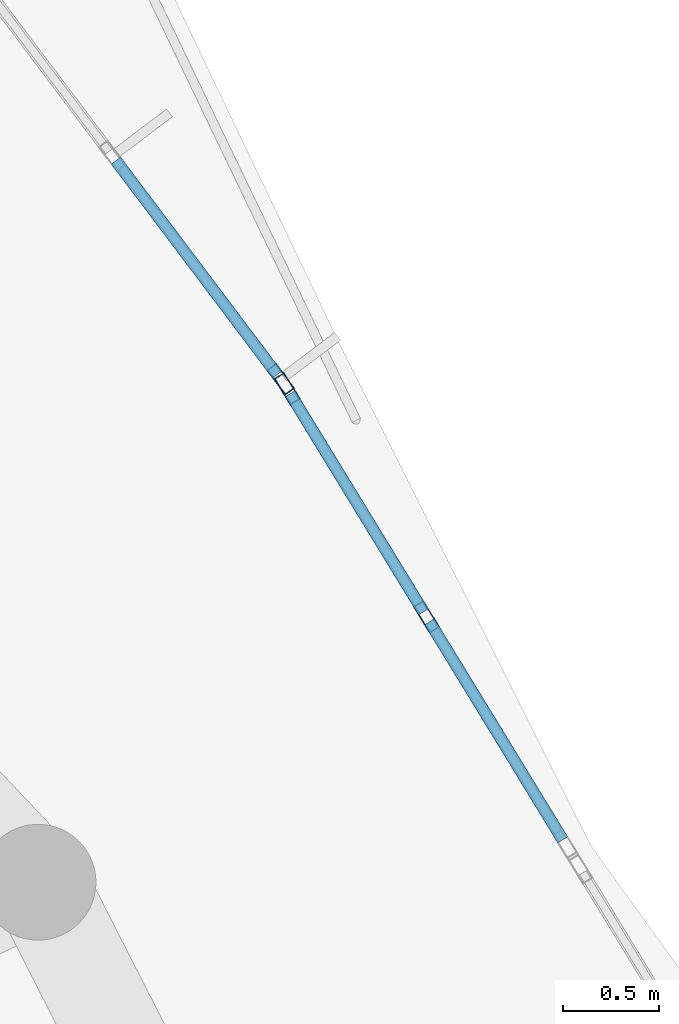
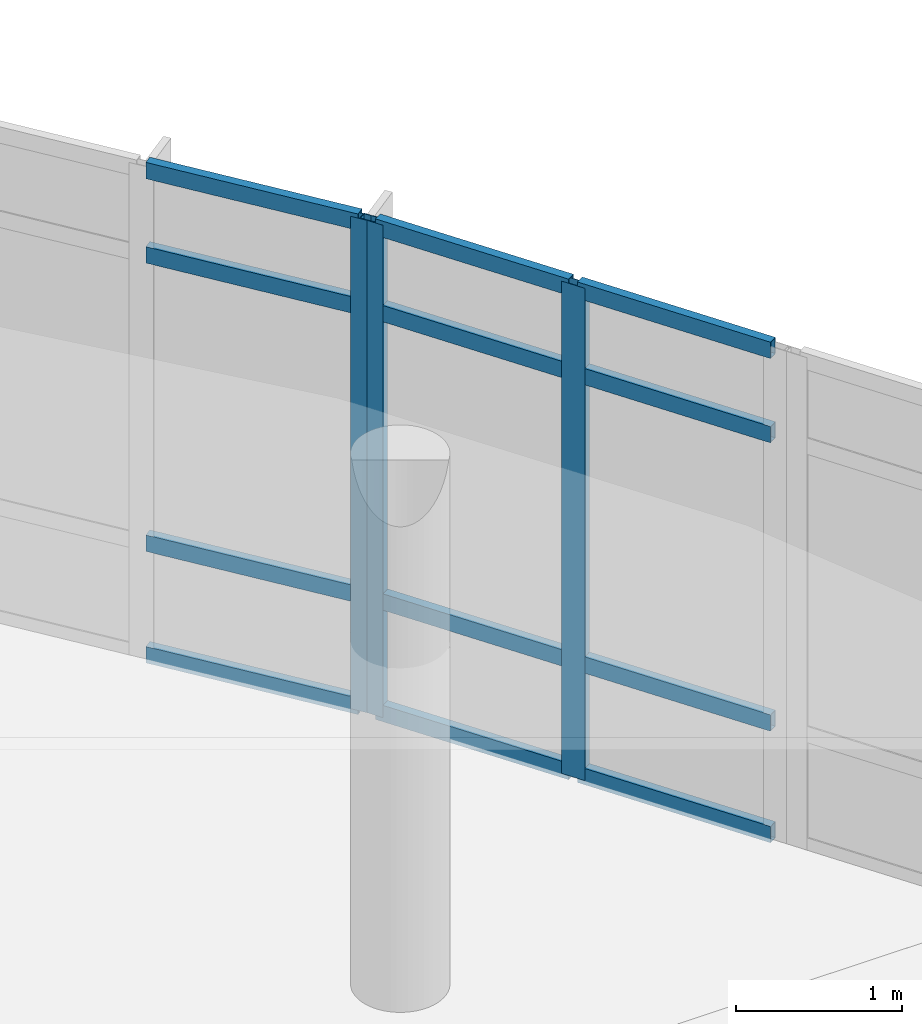
# One storey, part 43 of 74: 15 members, 2 elements without a shape of their own.
"""IFC4 building model written with IfcOpenShell, lengths in metres."""

from ifc_helpers import new_model, si_unit, derived_unit, direction, frame, origin, origin_2d, place, context, subcontext, project, spatial, hollow_rectangle, extrude, material, layer, layer_set, material_profile, profile_set, type_object, element, aggregate, save


model = new_model("IFC4")

# Units and contexts
model_context = context("Model", 3, precision=1e-05, world=origin(), true_north=direction((0.0, 1.0)))
body_context = subcontext(model_context, "Body", "Model", "MODEL_VIEW")
ifc_project = project(units=[si_unit("LENGTHUNIT", "METRE"), si_unit("AREAUNIT", "SQUARE_METRE"), si_unit("VOLUMEUNIT", "CUBIC_METRE"), si_unit("PLANEANGLEUNIT", "RADIAN"), si_unit("MASSUNIT", "GRAM", prefix="KILO"), derived_unit("THERMALTRANSMITTANCEUNIT", [(si_unit("POWERUNIT", "WATT"), 1), (si_unit("LENGTHUNIT", "METRE"), -2), (si_unit("THERMODYNAMICTEMPERATUREUNIT", "KELVIN"), -1)])], contexts=[model_context])

# Site, building, storey
site_placement = place(None, origin())
site = spatial("IfcSite", under=ifc_project, at=site_placement, CompositionType="ELEMENT")
building_placement = place(site_placement, origin())
building = spatial("IfcBuilding", under=site, at=building_placement, Name="Elbkamm Science Centre", CompositionType="ELEMENT")
storey_placement = place(building_placement, frame((0.0, 0.0, 14.39990234375)))
storey = spatial("IfcBuildingStorey", under=building, at=storey_placement, Name="L03", CompositionType="ELEMENT", Elevation=14.39990234375)

# Curtain wall, members
ifc_material_1 = material(Name="Powder-coated aluminium and triple low-E glazing", Category="aluminium")
ifc_layer_1 = layer(ifc_material_1, 0.159912109375)
ifc_layer_set_1 = layer_set([ifc_layer_1], Name="Powder-coated aluminium and triple low-E glazing")
curtain_wall_type_1 = type_object("IfcCurtainWallType", Name="CW-UNIT-2820x3620", PredefinedType="USERDEFINED", material=ifc_layer_set_1)
curtain_wall_1_placement = place(storey_placement, origin())
curtain_wall_1 = element("IfcCurtainWall", 1, at=curtain_wall_1_placement, inside=storey, type_object=curtain_wall_type_1, Name="L03 Unitised Curtain Wall 048", ObjectType="UNITISED CURTAIN WALL", PredefinedType="USERDEFINED")
ifc_material_2 = material(Name="Powder-coated aluminium EN AW-6060", Category="aluminium")
ifc_material_profile_1 = material_profile(ifc_material_2, hollow_rectangle(XDim=0.06005859375, YDim=0.159912109375, WallThickness=0.00390625, at=origin_2d()), Name="ALU M60x160")
ifc_profile_set_1 = profile_set([ifc_material_profile_1], Name="Powder-coated aluminium EN AW-6060")
member_type_1 = type_object("IfcMemberType", Name="CW-MUL-60x160", PredefinedType="MULLION", material=ifc_profile_set_1)
member_1_placement = place(storey_placement, frame((85.45068359375, 78.175537109375, 0.0), z_axis=(0.0, 0.0, 1.0), x_axis=(-0.853316783225, -0.521392814935, 0.0)))
member_1 = element("IfcMember", 2, at=member_1_placement, type_object=member_type_1, Name="CW-021 mullion 2", PredefinedType="MULLION", context=body_context, shape_type="SweptSolid", body=[
    extrude(hollow_rectangle(XDim=0.06005859375, YDim=0.159912109375, WallThickness=0.00390625, at=origin_2d()), origin(), (0.0, 0.0, 1.0), 3.6201171875),
])
member_2_placement = place(storey_placement, frame((84.728759765625, 79.35693359375, 0.0), z_axis=(0.0, 0.0, 1.0), x_axis=(-0.853316783225, -0.521392814935, 0.0)))
member_2 = element("IfcMember", 3, at=member_2_placement, type_object=member_type_1, Name="CW-021 mullion 3", PredefinedType="MULLION", context=body_context, shape_type="SweptSolid", body=[
    extrude(hollow_rectangle(XDim=0.06005859375, YDim=0.159912109375, WallThickness=0.00390625, at=origin_2d()), origin(), (0.0, 0.0, 1.0), 3.6201171875),
])

# Curtain wall, member
ifc_layer_2 = layer(ifc_material_1, 0.159912109375)
ifc_layer_set_2 = layer_set([ifc_layer_2], Name="Powder-coated aluminium and triple low-E glazing")
curtain_wall_type_2 = type_object("IfcCurtainWallType", Name="CW-UNIT-2960x3620", PredefinedType="USERDEFINED", material=ifc_layer_set_2)
curtain_wall_2_placement = place(storey_placement, origin())
curtain_wall_2 = element("IfcCurtainWall", 4, at=curtain_wall_2_placement, inside=storey, type_object=curtain_wall_type_2, Name="L03 Unitised Curtain Wall 049", ObjectType="UNITISED CURTAIN WALL", PredefinedType="USERDEFINED")
member_3_placement = place(storey_placement, frame((84.695068359375, 79.406494140625, 0.0), z_axis=(0.0, 0.0, 1.0), x_axis=(-0.798585651148, -0.601881182445, 0.0)))
member_3 = element("IfcMember", 5, at=member_3_placement, type_object=member_type_1, Name="CW-022 mullion 1", PredefinedType="MULLION", context=body_context, shape_type="SweptSolid", body=[
    extrude(hollow_rectangle(XDim=0.06005859375, YDim=0.159912109375, WallThickness=0.00390625, at=origin_2d()), origin(), (0.0, 0.0, 1.0), 3.6201171875),
])

# Member
ifc_material_profile_2 = material_profile(ifc_material_2, hollow_rectangle(XDim=0.06005859375, YDim=0.1201171875, WallThickness=0.00341796875, at=origin_2d()), Name="ALU T60x120")
ifc_profile_set_2 = profile_set([ifc_material_profile_2], Name="Powder-coated aluminium EN AW-6060")
member_type_2 = type_object("IfcMemberType", Name="CW-TRN-60x120", PredefinedType="USERDEFINED", material=ifc_profile_set_2)
member_4_placement = place(storey_placement, frame((86.15673828125, 77.019775390625, 0.030029296875), z_axis=(-0.521338152947, 0.853350180337, 0.0), x_axis=(-0.853350180337, -0.521338152947, 0.0)))
member_4 = element("IfcMember", 6, at=member_4_placement, type_object=member_type_2, Name="CW-021 transom 1.1", ObjectType="TRANSOM", PredefinedType="USERDEFINED", context=body_context, shape_type="SweptSolid", body=[
    extrude(hollow_rectangle(XDim=0.06005859375, YDim=0.1201171875, WallThickness=0.00341796875, at=origin_2d()), origin(), (0.0, 0.0, 1.0), 1.324462890625),
])

member_5_placement = place(storey_placement, frame((86.15673828125, 77.019775390625, 0.85009765625), z_axis=(-0.521338152947, 0.853350180337, 0.0), x_axis=(-0.853350180337, -0.521338152947, 0.0)))
member_5 = element("IfcMember", 7, at=member_5_placement, type_object=member_type_2, Name="CW-021 transom 1.2", ObjectType="TRANSOM", PredefinedType="USERDEFINED", context=body_context, shape_type="SweptSolid", body=[
    extrude(hollow_rectangle(XDim=0.06005859375, YDim=0.1201171875, WallThickness=0.00341796875, at=origin_2d()), origin(), (0.0, 0.0, 1.0), 1.324462890625),
])

member_6_placement = place(storey_placement, frame((86.15673828125, 77.019775390625, 2.97021484375), z_axis=(-0.521338152947, 0.853350180337, 0.0), x_axis=(-0.853350180337, -0.521338152947, 0.0)))
member_6 = element("IfcMember", 8, at=member_6_placement, type_object=member_type_2, Name="CW-021 transom 1.3", ObjectType="TRANSOM", PredefinedType="USERDEFINED", context=body_context, shape_type="SweptSolid", body=[
    extrude(hollow_rectangle(XDim=0.06005859375, YDim=0.1201171875, WallThickness=0.00341796875, at=origin_2d()), origin(), (0.0, 0.0, 1.0), 1.324462890625),
])

member_7_placement = place(storey_placement, frame((86.15673828125, 77.019775390625, 3.590087890625), z_axis=(-0.521338152947, 0.853350180337, 0.0), x_axis=(-0.853350180337, -0.521338152947, 0.0)))
member_7 = element("IfcMember", 9, at=member_7_placement, type_object=member_type_2, Name="CW-021 transom 1.4", ObjectType="TRANSOM", PredefinedType="USERDEFINED", context=body_context, shape_type="SweptSolid", body=[
    extrude(hollow_rectangle(XDim=0.06005859375, YDim=0.1201171875, WallThickness=0.00341796875, at=origin_2d()), origin(), (0.0, 0.0, 1.0), 1.324462890625),
])

member_8_placement = place(storey_placement, frame((85.43505859375, 78.201171875, 0.030029296875), z_axis=(-0.52147237753, 0.853268163869, 0.0), x_axis=(-0.853268163869, -0.52147237753, 0.0)))
member_8 = element("IfcMember", 10, at=member_8_placement, type_object=member_type_2, Name="CW-021 transom 2.1", ObjectType="TRANSOM", PredefinedType="USERDEFINED", context=body_context, shape_type="SweptSolid", body=[
    extrude(hollow_rectangle(XDim=0.06005859375, YDim=0.1201171875, WallThickness=0.00341796875, at=origin_2d()), origin(), (0.0, 0.0, 1.0), 1.324462890625),
])

member_9_placement = place(storey_placement, frame((85.43505859375, 78.201171875, 0.85009765625), z_axis=(-0.52147237753, 0.853268163869, 0.0), x_axis=(-0.853268163869, -0.52147237753, 0.0)))
member_9 = element("IfcMember", 11, at=member_9_placement, type_object=member_type_2, Name="CW-021 transom 2.2", ObjectType="TRANSOM", PredefinedType="USERDEFINED", context=body_context, shape_type="SweptSolid", body=[
    extrude(hollow_rectangle(XDim=0.06005859375, YDim=0.1201171875, WallThickness=0.00341796875, at=origin_2d()), origin(), (0.0, 0.0, 1.0), 1.324462890625),
])

member_10_placement = place(storey_placement, frame((85.43505859375, 78.201171875, 2.97021484375), z_axis=(-0.52147237753, 0.853268163869, 0.0), x_axis=(-0.853268163869, -0.52147237753, 0.0)))
member_10 = element("IfcMember", 12, at=member_10_placement, type_object=member_type_2, Name="CW-021 transom 2.3", ObjectType="TRANSOM", PredefinedType="USERDEFINED", context=body_context, shape_type="SweptSolid", body=[
    extrude(hollow_rectangle(XDim=0.06005859375, YDim=0.1201171875, WallThickness=0.00341796875, at=origin_2d()), origin(), (0.0, 0.0, 1.0), 1.324462890625),
])

member_11_placement = place(storey_placement, frame((85.43505859375, 78.201171875, 3.590087890625), z_axis=(-0.52147237753, 0.853268163869, 0.0), x_axis=(-0.853268163869, -0.52147237753, 0.0)))
member_11 = element("IfcMember", 13, at=member_11_placement, type_object=member_type_2, Name="CW-021 transom 2.4", ObjectType="TRANSOM", PredefinedType="USERDEFINED", context=body_context, shape_type="SweptSolid", body=[
    extrude(hollow_rectangle(XDim=0.06005859375, YDim=0.1201171875, WallThickness=0.00341796875, at=origin_2d()), origin(), (0.0, 0.0, 1.0), 1.324462890625),
])

aggregate(curtain_wall_1, [member_1, member_2, member_4, member_5, member_6, member_7, member_8, member_9, member_10, member_11])

member_12_placement = place(storey_placement, frame((84.677001953125, 79.430419921875, 0.030029296875), z_axis=(-0.601855114948, 0.798605297135, 0.0), x_axis=(-0.798605297135, -0.601855114948, 0.0)))
member_12 = element("IfcMember", 14, at=member_12_placement, type_object=member_type_2, Name="CW-022 transom 1.1", ObjectType="TRANSOM", PredefinedType="USERDEFINED", context=body_context, shape_type="SweptSolid", body=[
    extrude(hollow_rectangle(XDim=0.06005859375, YDim=0.1201171875, WallThickness=0.00341796875, at=origin_2d()), origin(), (0.0, 0.0, 1.0), 1.388427734375),
])

member_13_placement = place(storey_placement, frame((84.677001953125, 79.430419921875, 0.85009765625), z_axis=(-0.601855114948, 0.798605297135, 0.0), x_axis=(-0.798605297135, -0.601855114948, 0.0)))
member_13 = element("IfcMember", 15, at=member_13_placement, type_object=member_type_2, Name="CW-022 transom 1.2", ObjectType="TRANSOM", PredefinedType="USERDEFINED", context=body_context, shape_type="SweptSolid", body=[
    extrude(hollow_rectangle(XDim=0.06005859375, YDim=0.1201171875, WallThickness=0.00341796875, at=origin_2d()), origin(), (0.0, 0.0, 1.0), 1.388427734375),
])

member_14_placement = place(storey_placement, frame((84.677001953125, 79.430419921875, 2.97021484375), z_axis=(-0.601855114948, 0.798605297135, 0.0), x_axis=(-0.798605297135, -0.601855114948, 0.0)))
member_14 = element("IfcMember", 16, at=member_14_placement, type_object=member_type_2, Name="CW-022 transom 1.3", ObjectType="TRANSOM", PredefinedType="USERDEFINED", context=body_context, shape_type="SweptSolid", body=[
    extrude(hollow_rectangle(XDim=0.06005859375, YDim=0.1201171875, WallThickness=0.00341796875, at=origin_2d()), origin(), (0.0, 0.0, 1.0), 1.388427734375),
])

member_15_placement = place(storey_placement, frame((84.677001953125, 79.430419921875, 3.590087890625), z_axis=(-0.601855114948, 0.798605297135, 0.0), x_axis=(-0.798605297135, -0.601855114948, 0.0)))
member_15 = element("IfcMember", 17, at=member_15_placement, type_object=member_type_2, Name="CW-022 transom 1.4", ObjectType="TRANSOM", PredefinedType="USERDEFINED", context=body_context, shape_type="SweptSolid", body=[
    extrude(hollow_rectangle(XDim=0.06005859375, YDim=0.1201171875, WallThickness=0.00341796875, at=origin_2d()), origin(), (0.0, 0.0, 1.0), 1.388427734375),
])

aggregate(curtain_wall_2, [member_3, member_12, member_13, member_14, member_15])

save(model, "model.ifc")
